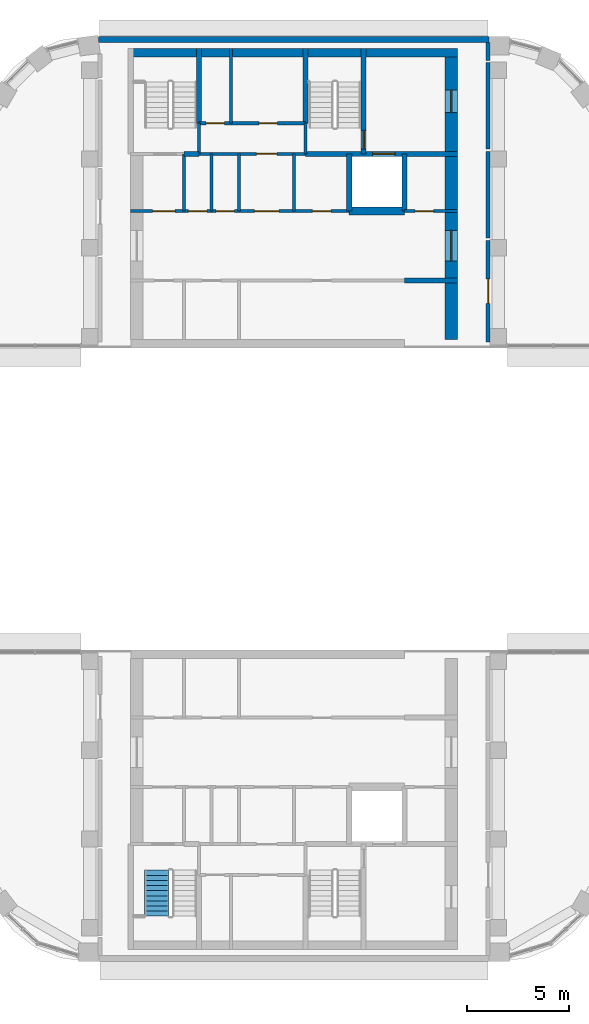
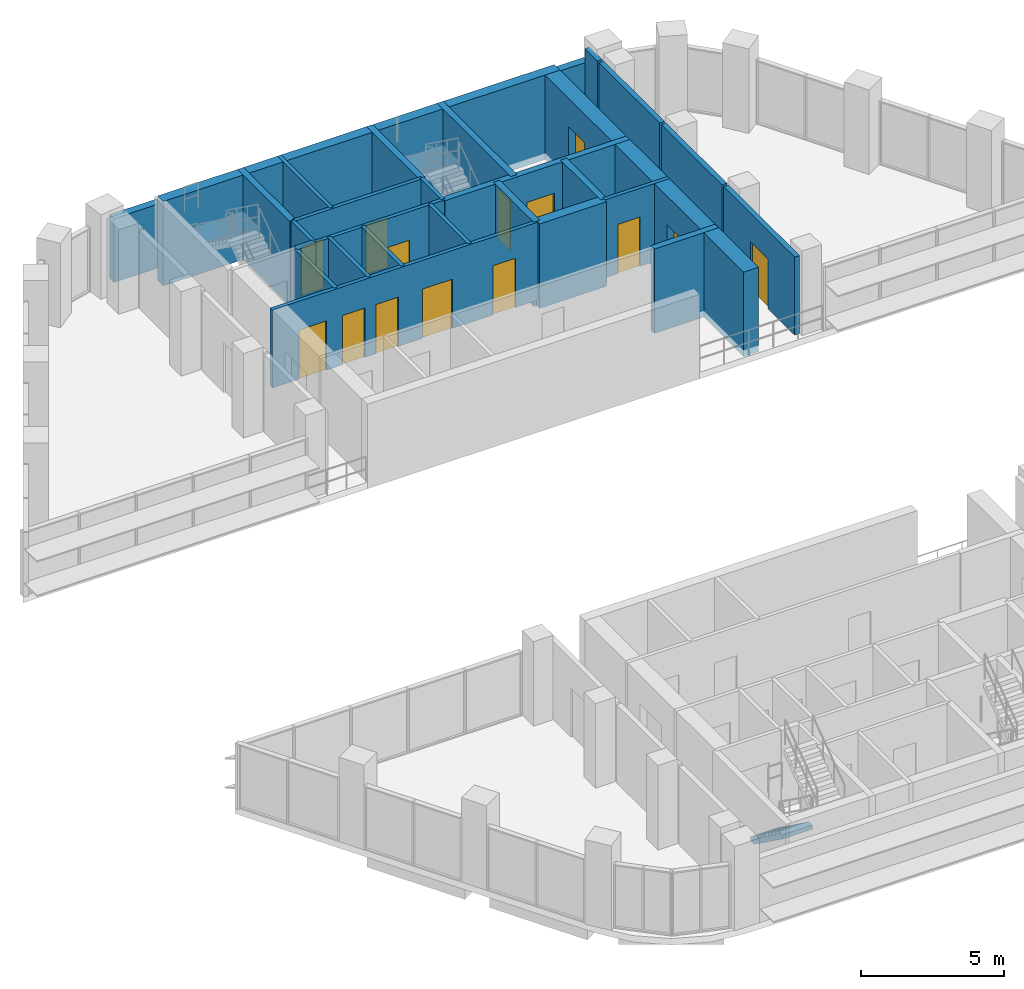
# One storey, part 11 of 15: 28 walls, 14 doors, 1 stair flight, 14 openings, 1 element without a shape of its own.
"""IFC4 building model written with IfcOpenShell, lengths in metres."""

from ifc_helpers import new_model, si_unit, direction, frame, frame_2d, origin, place, context, subcontext, project, spatial, polyline, rectangle, outline, extrude, material, layer, layer_set, type_object, element, fill, aggregate, save


model = new_model("IFC4")

# Units and contexts
model_context = context("Model", 3, precision=1e-05, world=origin(), true_north=direction((0.0, 1.0)))
body_context = subcontext(model_context, "Body", "Model", "MODEL_VIEW")
ifc_project = project(units=[si_unit("LENGTHUNIT", "METRE"), si_unit("AREAUNIT", "SQUARE_METRE"), si_unit("VOLUMEUNIT", "CUBIC_METRE"), si_unit("PLANEANGLEUNIT", "RADIAN"), si_unit("MASSUNIT", "GRAM", prefix="KILO")], contexts=[model_context])

# Site, building, storey
site_placement = place(None, origin())
site = spatial("IfcSite", under=ifc_project, at=site_placement, CompositionType="ELEMENT")
building_placement = place(site_placement, origin())
building = spatial("IfcBuilding", under=site, at=building_placement, Name="Nakaniwa Court", CompositionType="ELEMENT")
storey_placement = place(building_placement, frame((0.0, 0.0, 283.199951171875)))
storey = spatial("IfcBuildingStorey", under=building, at=storey_placement, Name="C04", CompositionType="ELEMENT", Elevation=283.199951171875)

# Wall, opening, door
ifc_material_1 = material(Name="Acoustic double stud partition")
ifc_layer_1 = layer(ifc_material_1, 0.199951171875)
ifc_layer_set_1 = layer_set([ifc_layer_1], Name="Acoustic double stud partition")
wall_type_1 = type_object("IfcWallType", Name="Acoustic double stud partition 200", PredefinedType="PARTITIONING", material=ifc_layer_set_1)
wall_1_placement = place(storey_placement, frame((89.5, 92.6630859375, 0.0), z_axis=(0.0, 0.0, 1.0), x_axis=(0.0, -1.0, 0.0)))
wall_1 = element("IfcWall", 1, at=wall_1_placement, inside=storey, type_object=wall_type_1, Name="Partition PW-057", PredefinedType="PARTITIONING", context=body_context, shape_type="SweptSolid", body=[
    extrude(rectangle(XDim=4.963134765625, YDim=0.199951171875, at=frame_2d((2.4814453125, 0.0))), origin(), (0.0, 0.0, 1.0), 3.324951171875),
])
opening_1_placement = place(wall_1_placement, frame((1.883056640625, 0.0, 0.0)))
opening_1 = element("IfcOpeningElement", 2, at=opening_1_placement, cuts=wall_1, Name="Opening D-30-02", PredefinedType="OPENING", context=body_context, shape_type="SweptSolid", body=[
    extrude(rectangle(XDim=1.199951171875, YDim=2.10009765625, at=frame_2d((0.60009765625, 1.050048828125))), frame((0.0, 0.10986328125, 0.0), z_axis=(0.0, -1.0, 0.0), x_axis=(1.0, 0.0, 0.0)), (0.0, 0.0, 1.0), 0.219970703125),
])
ifc_material_2 = material(Name="Solid core timber door set, black veneer", Category="wood")
door_type_1 = type_object("IfcDoorType", Name="Internal door 1200", OperationType="NOTDEFINED", PredefinedType="DOOR", material=ifc_material_2)
door_1_placement = place(opening_1_placement, origin())
door_1 = element("IfcDoor", 3, at=door_1_placement, inside=storey, type_object=door_type_1, Name="Door D-30-02 C04-030", OperationType="SINGLE_SWING_LEFT", OverallHeight=2.10009765625, OverallWidth=1.199951171875, PredefinedType="DOOR", context=body_context, shape_type="SweptSolid", body=[
    extrude(rectangle(XDim=1.199951171875, YDim=2.10009765625, at=frame_2d((0.60009765625, 1.050048828125))), frame((0.0, 0.02490234375, 0.0), z_axis=(0.0, -1.0, 0.0), x_axis=(1.0, 0.0, 0.0)), (0.0, 0.0, 1.0), 0.050048828125),
])
fill(opening_1, door_1)

# Walls
wall_2_placement = place(storey_placement, frame((89.5, 92.777099609375, 0.0), z_axis=(0.0, 0.0, 1.0), x_axis=(0.0, 1.0, 0.0)))
element("IfcWall", 4, at=wall_2_placement, inside=storey, type_object=wall_type_1, Name="Partition PW-058", PredefinedType="PARTITIONING", context=body_context, shape_type="SweptSolid", body=[
    extrude(rectangle(XDim=4.23583984375, YDim=0.199951171875, at=frame_2d((2.117919921875, 0.0))), origin(), (0.0, 0.0, 1.0), 3.324951171875),
])
wall_3_placement = place(storey_placement, frame((89.5, 97.126953125, 0.0), z_axis=(0.0, 0.0, 1.0), x_axis=(0.0, 1.0, 0.0)))
element("IfcWall", 5, at=wall_3_placement, inside=storey, type_object=wall_type_1, Name="Partition PW-059", PredefinedType="PARTITIONING", context=body_context, shape_type="SweptSolid", body=[
    extrude(rectangle(XDim=4.236083984375, YDim=0.199951171875, at=frame_2d((2.1181640625, 0.0))), origin(), (0.0, 0.0, 1.0), 3.324951171875),
])
wall_4_placement = place(storey_placement, frame((89.5, 101.47705078125, 0.0), z_axis=(0.0, 0.0, 1.0), x_axis=(0.0, 1.0, 0.0)))
element("IfcWall", 6, at=wall_4_placement, inside=storey, type_object=wall_type_1, Name="Partition PW-060", PredefinedType="PARTITIONING", context=body_context, shape_type="SweptSolid", body=[
    extrude(rectangle(XDim=0.873046875, YDim=0.199951171875, at=frame_2d((0.4365234375, 0.0))), origin(), (0.0, 0.0, 1.0), 3.324951171875),
])
ifc_material_3 = material(Name="Charcoal ceramic cladding")
ifc_layer_2 = layer(ifc_material_3, 0.02, Name="Ceramic cladding")
ifc_material_4 = material(Name="Ventilated air cavity")
ifc_layer_3 = layer(ifc_material_4, 0.04, ventilated=True, Name="Ventilated cavity")
ifc_material_5 = material(Name="Mineral wool insulation")
ifc_layer_4 = layer(ifc_material_5, 0.1, Name="Insulation")
ifc_material_6 = material(Name="Cement bonded sheathing board")
ifc_layer_5 = layer(ifc_material_6, 0.012, Name="Sheathing")
ifc_material_7 = material(Name="Cold-formed galvanised stud frame with mineral wool infill")
ifc_layer_6 = layer(ifc_material_7, 0.1, Name="Stud frame")
ifc_material_8 = material(Name="Fire-rated gypsum plasterboard lining")
ifc_layer_7 = layer(ifc_material_8, 0.028, Name="Lining")
ifc_layer_set_2 = layer_set([ifc_layer_2, ifc_layer_3, ifc_layer_4, ifc_layer_5, ifc_layer_6, ifc_layer_7], Name="Charcoal ceramic faced external wall system")
wall_type_2 = type_object("IfcWallType", Name="Black ceramic faced external wall 300", PredefinedType="SOLIDWALL", material=ifc_layer_set_2)
wall_5_placement = place(storey_placement, frame((89.54931640625, 102.5, 0.0), z_axis=(0.0, 0.0, 1.0), x_axis=(-1.0, 0.0, 0.0)))
element("IfcWall", 7, at=wall_5_placement, inside=storey, type_object=wall_type_2, Name="C04 external wall 23", PredefinedType="SOLIDWALL", context=body_context, shape_type="SweptSolid", body=[
    extrude(rectangle(XDim=19.1337890625, YDim=0.300048828125, at=frame_2d((9.56689453125, 0.0))), origin(), (0.0, 0.0, 1.0), 2.72509765625),
])
ifc_material_9 = material(Name="Blockwork partition", Category="masonry")
ifc_layer_8 = layer(ifc_material_9, 0.14990234375)
ifc_layer_set_3 = layer_set([ifc_layer_8], Name="Blockwork partition")
wall_type_3 = type_object("IfcWallType", Name="Blockwork partition 150", PredefinedType="PARTITIONING", material=ifc_layer_set_3)
for number, where, z_axis, x_axis, name in (
    (8, (74.60009765625, 94.10009765625, 0.0), (0.0, 0.0, 1.0), (0.0, 1.0, 0.0), "Partition PW-002"),
    (9, (77.300048828125, 94.10009765625, 0.0), (0.0, 0.0, 1.0), (0.0, 1.0, 0.0), "Partition PW-006"),
):
    element("IfcWall", number, at=place(storey_placement, frame(where, z_axis=z_axis, x_axis=x_axis)), inside=storey, type_object=wall_type_3, Name=name, PredefinedType="PARTITIONING", context=body_context, shape_type="SweptSolid", body=[
        extrude(rectangle(XDim=2.7998046875, YDim=0.14990234375, at=frame_2d((1.39990234375, 0.0))), origin(), (0.0, 0.0, 1.0), 3.324951171875),
    ])

# Wall, openings, doors
wall_6_placement = place(storey_placement, frame((72.0, 94.10009765625, 0.0), z_axis=(0.0, 0.0, 1.0), x_axis=(1.0, 0.0, 0.0)))
wall_6 = element("IfcWall", 10, at=wall_6_placement, inside=storey, type_object=wall_type_3, Name="Partition PW-007", PredefinedType="PARTITIONING", context=body_context, shape_type="SweptSolid", body=[
    extrude(rectangle(XDim=10.702880859375, YDim=0.14990234375, at=frame_2d((5.3515625, 0.0))), origin(), (0.0, 0.0, 1.0), 3.324951171875),
])
opening_2_placement = place(wall_6_placement, frame((1.074951171875, 0.0, 0.0)))
opening_2 = element("IfcOpeningElement", 11, at=opening_2_placement, cuts=wall_6, Name="Opening D-08-01", PredefinedType="OPENING", context=body_context, shape_type="SweptSolid", body=[
    extrude(rectangle(XDim=1.10009765625, YDim=2.10009765625, at=frame_2d((0.550048828125, 1.050048828125))), frame((0.0, 0.0849609375, 0.0), z_axis=(0.0, -1.0, 0.0), x_axis=(1.0, 0.0, 0.0)), (0.0, 0.0, 1.0), 0.169921875),
])
opening_3_placement = place(wall_6_placement, frame((2.824951171875, 0.0, 0.0)))
opening_3 = element("IfcOpeningElement", 12, at=opening_3_placement, cuts=wall_6, Name="Opening D-05-04", PredefinedType="OPENING", context=body_context, shape_type="SweptSolid", body=[
    extrude(rectangle(XDim=0.89990234375, YDim=2.10009765625, at=frame_2d((0.449951171875, 1.050048828125))), frame((0.0, 0.0849609375, 0.0), z_axis=(0.0, -1.0, 0.0), x_axis=(1.0, 0.0, 0.0)), (0.0, 0.0, 1.0), 0.169921875),
])
opening_4_placement = place(wall_6_placement, frame((4.175048828125, 0.0, 0.0)))
opening_4 = element("IfcOpeningElement", 13, at=opening_4_placement, cuts=wall_6, Name="Opening D-05-05", PredefinedType="OPENING", context=body_context, shape_type="SweptSolid", body=[
    extrude(rectangle(XDim=0.89990234375, YDim=2.10009765625, at=frame_2d((0.449951171875, 1.050048828125))), frame((0.0, 0.0849609375, 0.0), z_axis=(0.0, -1.0, 0.0), x_axis=(1.0, 0.0, 0.0)), (0.0, 0.0, 1.0), 0.169921875),
])
opening_5_placement = place(wall_6_placement, frame((6.050048828125, 0.0, 0.0)))
opening_5 = element("IfcOpeningElement", 14, at=opening_5_placement, cuts=wall_6, Name="Opening D-06-01", PredefinedType="OPENING", context=body_context, shape_type="SweptSolid", body=[
    extrude(rectangle(XDim=1.199951171875, YDim=2.10009765625, at=frame_2d((0.60009765625, 1.050048828125))), frame((0.0, 0.0849609375, 0.0), z_axis=(0.0, -1.0, 0.0), x_axis=(1.0, 0.0, 0.0)), (0.0, 0.0, 1.0), 0.169921875),
])
opening_6_placement = place(wall_6_placement, frame((8.89990234375, 0.0, 0.0)))
opening_6 = element("IfcOpeningElement", 15, at=opening_6_placement, cuts=wall_6, Name="Opening D-05-06", PredefinedType="OPENING", context=body_context, shape_type="SweptSolid", body=[
    extrude(rectangle(XDim=0.89990234375, YDim=2.10009765625, at=frame_2d((0.449951171875, 1.050048828125))), frame((0.0, 0.0849609375, 0.0), z_axis=(0.0, -1.0, 0.0), x_axis=(1.0, 0.0, 0.0)), (0.0, 0.0, 1.0), 0.169921875),
])
ifc_material_10 = material(Name="Fire rated steel double door set", Category="steel")
door_type_2 = type_object("IfcDoorType", Name="Service passage double door 1200", OperationType="NOTDEFINED", PredefinedType="DOOR", material=ifc_material_10)
door_2_placement = place(opening_5_placement, origin())
door_2 = element("IfcDoor", 16, at=door_2_placement, inside=storey, type_object=door_type_2, Name="Door D-06-01 C04-007", OperationType="DOUBLE_DOOR_SINGLE_SWING", OverallHeight=2.10009765625, OverallWidth=1.199951171875, PredefinedType="DOOR", context=body_context, shape_type="SweptSolid", body=[
    extrude(rectangle(XDim=1.199951171875, YDim=2.10009765625, at=frame_2d((0.60009765625, 1.050048828125))), frame((0.0, 0.02490234375, 0.0), z_axis=(0.0, -1.0, 0.0), x_axis=(1.0, 0.0, 0.0)), (0.0, 0.0, 1.0), 0.050048828125),
])
fill(opening_5, door_2)
ifc_material_11 = material(Name="Fire rated steel door set", Category="steel")
door_type_3 = type_object("IfcDoorType", Name="Service room door 900", OperationType="NOTDEFINED", PredefinedType="DOOR", material=ifc_material_11)
door_3_placement = place(opening_3_placement, origin())
door_3 = element("IfcDoor", 17, at=door_3_placement, inside=storey, type_object=door_type_3, Name="Door D-05-04 C04-005", OperationType="SINGLE_SWING_RIGHT", OverallHeight=2.10009765625, OverallWidth=0.89990234375, PredefinedType="DOOR", context=body_context, shape_type="SweptSolid", body=[
    extrude(rectangle(XDim=0.89990234375, YDim=2.10009765625, at=frame_2d((0.449951171875, 1.050048828125))), frame((0.0, 0.02490234375, 0.0), z_axis=(0.0, -1.0, 0.0), x_axis=(1.0, 0.0, 0.0)), (0.0, 0.0, 1.0), 0.050048828125),
])
fill(opening_3, door_3)
door_4_placement = place(opening_4_placement, origin())
door_4 = element("IfcDoor", 18, at=door_4_placement, inside=storey, type_object=door_type_3, Name="Door D-05-05 C04-006", OperationType="SINGLE_SWING_LEFT", OverallHeight=2.10009765625, OverallWidth=0.89990234375, PredefinedType="DOOR", context=body_context, shape_type="SweptSolid", body=[
    extrude(rectangle(XDim=0.89990234375, YDim=2.10009765625, at=frame_2d((0.449951171875, 1.050048828125))), frame((0.0, 0.02490234375, 0.0), z_axis=(0.0, -1.0, 0.0), x_axis=(1.0, 0.0, 0.0)), (0.0, 0.0, 1.0), 0.050048828125),
])
fill(opening_4, door_4)
door_5_placement = place(opening_6_placement, origin())
door_5 = element("IfcDoor", 19, at=door_5_placement, inside=storey, type_object=door_type_3, Name="Door D-05-06 C04-008", OperationType="SINGLE_SWING_LEFT", OverallHeight=2.10009765625, OverallWidth=0.89990234375, PredefinedType="DOOR", context=body_context, shape_type="SweptSolid", body=[
    extrude(rectangle(XDim=0.89990234375, YDim=2.10009765625, at=frame_2d((0.449951171875, 1.050048828125))), frame((0.0, 0.02490234375, 0.0), z_axis=(0.0, -1.0, 0.0), x_axis=(1.0, 0.0, 0.0)), (0.0, 0.0, 1.0), 0.050048828125),
])
fill(opening_6, door_5)
door_type_4 = type_object("IfcDoorType", Name="Stair lobby door 1100", OperationType="NOTDEFINED", PredefinedType="DOOR", material=ifc_material_11)
door_6_placement = place(opening_2_placement, origin())
door_6 = element("IfcDoor", 20, at=door_6_placement, inside=storey, type_object=door_type_4, Name="Door D-08-01 C04-004", OperationType="SINGLE_SWING_LEFT", OverallHeight=2.10009765625, OverallWidth=1.10009765625, PredefinedType="DOOR", context=body_context, shape_type="SweptSolid", body=[
    extrude(rectangle(XDim=1.10009765625, YDim=2.10009765625, at=frame_2d((0.550048828125, 1.050048828125))), frame((0.0, 0.02490234375, 0.0), z_axis=(0.0, -1.0, 0.0), x_axis=(1.0, 0.0, 0.0)), (0.0, 0.0, 1.0), 0.050048828125),
])
fill(opening_2, door_6)

# Wall, opening, door
wall_7_placement = place(storey_placement, frame((85.39697265625, 94.10009765625, 0.0), z_axis=(0.0, 0.0, 1.0), x_axis=(1.0, 0.0, 0.0)))
wall_7 = element("IfcWall", 21, at=wall_7_placement, inside=storey, type_object=wall_type_3, Name="Partition PW-008", PredefinedType="PARTITIONING", context=body_context, shape_type="SweptSolid", body=[
    extrude(rectangle(XDim=2.60302734375, YDim=0.14990234375, at=frame_2d((1.301513671875, 0.0))), origin(), (0.0, 0.0, 1.0), 3.324951171875),
])
opening_7_placement = place(wall_7_placement, frame((0.528076171875, 0.0, 0.0)))
opening_7 = element("IfcOpeningElement", 22, at=opening_7_placement, cuts=wall_7, Name="Opening D-05-07", PredefinedType="OPENING", context=body_context, shape_type="SweptSolid", body=[
    extrude(rectangle(XDim=0.89990234375, YDim=2.10009765625, at=frame_2d((0.449951171875, 1.050048828125))), frame((0.0, 0.0849609375, 0.0), z_axis=(0.0, -1.0, 0.0), x_axis=(1.0, 0.0, 0.0)), (0.0, 0.0, 1.0), 0.169921875),
])
door_7_placement = place(opening_7_placement, origin())
door_7 = element("IfcDoor", 23, at=door_7_placement, inside=storey, type_object=door_type_3, Name="Door D-05-07 C04-009", OperationType="SINGLE_SWING_RIGHT", OverallHeight=2.10009765625, OverallWidth=0.89990234375, PredefinedType="DOOR", context=body_context, shape_type="SweptSolid", body=[
    extrude(rectangle(XDim=0.89990234375, YDim=2.10009765625, at=frame_2d((0.449951171875, 1.050048828125))), frame((0.0, 0.02490234375, 0.0), z_axis=(0.0, -1.0, 0.0), x_axis=(1.0, 0.0, 0.0)), (0.0, 0.0, 1.0), 0.050048828125),
])
fill(opening_7, door_7)

# Wall
wall_8_placement = place(storey_placement, frame((75.949951171875, 94.10009765625, 0.0), z_axis=(0.0, 0.0, 1.0), x_axis=(0.0, 1.0, 0.0)))
element("IfcWall", 24, at=wall_8_placement, inside=storey, type_object=wall_type_3, Name="Partition PW-012", PredefinedType="PARTITIONING", context=body_context, shape_type="SweptSolid", body=[
    extrude(rectangle(XDim=2.7998046875, YDim=0.14990234375, at=frame_2d((1.39990234375, 0.0))), origin(), (0.0, 0.0, 1.0), 3.324951171875),
])

# Wall, opening, door
wall_9_placement = place(storey_placement, frame((75.346923828125, 96.89990234375, 0.0), z_axis=(0.0, 0.0, 1.0), x_axis=(1.0, 0.0, 0.0)))
wall_9 = element("IfcWall", 25, at=wall_9_placement, inside=storey, type_object=wall_type_3, Name="Partition PW-015", PredefinedType="PARTITIONING", context=body_context, shape_type="SweptSolid", body=[
    extrude(rectangle(XDim=5.2060546875, YDim=0.14990234375, at=frame_2d((2.60302734375, 0.0))), origin(), (0.0, 0.0, 1.0), 3.324951171875),
])
opening_8_placement = place(wall_9_placement, frame((2.802978515625, 0.0, 0.0)))
opening_8 = element("IfcOpeningElement", 26, at=opening_8_placement, cuts=wall_9, Name="Opening D-23-01", PredefinedType="OPENING", context=body_context, shape_type="SweptSolid", body=[
    extrude(rectangle(XDim=1.0, YDim=2.10009765625, at=frame_2d((0.5, 1.050048828125))), frame((0.0, 0.0849609375, 0.0), z_axis=(0.0, -1.0, 0.0), x_axis=(1.0, 0.0, 0.0)), (0.0, 0.0, 1.0), 0.169921875),
])
door_type_5 = type_object("IfcDoorType", Name="Service room door 1000", OperationType="NOTDEFINED", PredefinedType="DOOR", material=ifc_material_11)
door_8_placement = place(opening_8_placement, origin())
door_8 = element("IfcDoor", 27, at=door_8_placement, inside=storey, type_object=door_type_5, Name="Door D-23-01 C04-010", OperationType="SINGLE_SWING_LEFT", OverallHeight=2.10009765625, OverallWidth=1.0, PredefinedType="DOOR", context=body_context, shape_type="SweptSolid", body=[
    extrude(rectangle(XDim=1.0, YDim=2.10009765625, at=frame_2d((0.5, 1.050048828125))), frame((0.0, 0.02490234375, 0.0), z_axis=(0.0, -1.0, 0.0), x_axis=(1.0, 0.0, 0.0)), (0.0, 0.0, 1.0), 0.050048828125),
])
fill(opening_8, door_8)

# Wall
wall_10_placement = place(storey_placement, frame((80.0, 94.10009765625, 0.0), z_axis=(0.0, 0.0, 1.0), x_axis=(0.0, 1.0, 0.0)))
element("IfcWall", 28, at=wall_10_placement, inside=storey, type_object=wall_type_3, Name="Partition PW-016", PredefinedType="PARTITIONING", context=body_context, shape_type="SweptSolid", body=[
    extrude(rectangle(XDim=2.7998046875, YDim=0.14990234375, at=frame_2d((1.39990234375, 0.0))), origin(), (0.0, 0.0, 1.0), 3.324951171875),
])

# Wall, openings, doors
wall_11_placement = place(storey_placement, frame((75.35009765625, 98.39990234375, 0.0), z_axis=(0.0, 0.0, 1.0), x_axis=(1.0, 0.0, 0.0)))
wall_11 = element("IfcWall", 29, at=wall_11_placement, inside=storey, type_object=wall_type_3, Name="Partition PW-025", PredefinedType="PARTITIONING", context=body_context, shape_type="SweptSolid", body=[
    extrude(rectangle(XDim=5.199951171875, YDim=0.14990234375, at=frame_2d((2.60009765625, 0.0))), origin(), (0.0, 0.0, 1.0), 3.324951171875),
])
opening_9_placement = place(wall_11_placement, frame((0.330078125, 0.0, 0.0)))
opening_9 = element("IfcOpeningElement", 30, at=opening_9_placement, cuts=wall_11, Name="Opening D-05-08", PredefinedType="OPENING", context=body_context, shape_type="SweptSolid", body=[
    extrude(rectangle(XDim=0.89990234375, YDim=2.10009765625, at=frame_2d((0.449951171875, 1.050048828125))), frame((0.0, 0.0849609375, 0.0), z_axis=(0.0, -1.0, 0.0), x_axis=(1.0, 0.0, 0.0)), (0.0, 0.0, 1.0), 0.169921875),
])
opening_10_placement = place(wall_11_placement, frame((2.929931640625, 0.0, 0.0)))
opening_10 = element("IfcOpeningElement", 31, at=opening_10_placement, cuts=wall_11, Name="Opening D-05-09", PredefinedType="OPENING", context=body_context, shape_type="SweptSolid", body=[
    extrude(rectangle(XDim=0.89990234375, YDim=2.10009765625, at=frame_2d((0.449951171875, 1.050048828125))), frame((0.0, 0.0849609375, 0.0), z_axis=(0.0, -1.0, 0.0), x_axis=(1.0, 0.0, 0.0)), (0.0, 0.0, 1.0), 0.169921875),
])
door_9_placement = place(opening_9_placement, origin())
door_9 = element("IfcDoor", 32, at=door_9_placement, inside=storey, type_object=door_type_3, Name="Door D-05-08 C04-011", OperationType="SINGLE_SWING_RIGHT", OverallHeight=2.10009765625, OverallWidth=0.89990234375, PredefinedType="DOOR", context=body_context, shape_type="SweptSolid", body=[
    extrude(rectangle(XDim=0.89990234375, YDim=2.10009765625, at=frame_2d((0.449951171875, 1.050048828125))), frame((0.0, 0.02490234375, 0.0), z_axis=(0.0, -1.0, 0.0), x_axis=(1.0, 0.0, 0.0)), (0.0, 0.0, 1.0), 0.050048828125),
])
fill(opening_9, door_9)
door_10_placement = place(opening_10_placement, origin())
door_10 = element("IfcDoor", 33, at=door_10_placement, inside=storey, type_object=door_type_3, Name="Door D-05-09 C04-012", OperationType="SINGLE_SWING_LEFT", OverallHeight=2.10009765625, OverallWidth=0.89990234375, PredefinedType="DOOR", context=body_context, shape_type="SweptSolid", body=[
    extrude(rectangle(XDim=0.89990234375, YDim=2.10009765625, at=frame_2d((0.449951171875, 1.050048828125))), frame((0.0, 0.02490234375, 0.0), z_axis=(0.0, -1.0, 0.0), x_axis=(1.0, 0.0, 0.0)), (0.0, 0.0, 1.0), 0.050048828125),
])
fill(opening_10, door_10)

# Wall
wall_12_placement = place(storey_placement, frame((76.909912109375, 98.39990234375, 0.0), z_axis=(0.0, 0.0, 1.0), x_axis=(0.0, 1.0, 0.0)))
element("IfcWall", 34, at=wall_12_placement, inside=storey, type_object=wall_type_3, Name="Partition PW-026", PredefinedType="PARTITIONING", context=body_context, shape_type="SweptSolid", body=[
    extrude(rectangle(XDim=3.650146484375, YDim=0.14990234375, at=frame_2d((1.8251953125, 0.0))), origin(), (0.0, 0.0, 1.0), 3.324951171875),
])

# Wall, openings, doors
ifc_material_12 = material(Name="Concrete C80/100", Category="concrete")
ifc_layer_9 = layer(ifc_material_12, 0.60009765625)
ifc_layer_set_4 = layer_set([ifc_layer_9], Name="Concrete C80/100")
wall_type_4 = type_object("IfcWallType", Name="Concrete core side wall 600 C80", PredefinedType="SHEAR", material=ifc_layer_set_4)
wall_13_placement = place(storey_placement, frame((87.699951171875, 102.050048828125, -0.27490234375), z_axis=(0.0, 0.0, 1.0), x_axis=(0.0, -1.0, 0.0)))
wall_13 = element("IfcWall", 35, at=wall_13_placement, inside=storey, type_object=wall_type_4, Name="Core wall SW-10", PredefinedType="SHEAR", context=body_context, shape_type="SweptSolid", body=[
    extrude(rectangle(XDim=11.35009765625, YDim=0.60009765625, at=frame_2d((5.675048828125, 0.0))), origin(), (0.0, 0.0, 1.0), 3.599853515625),
])
opening_11_placement = place(wall_13_placement, frame((8.89990234375, 0.0, 0.27490234375)))
opening_11 = element("IfcOpeningElement", 36, at=opening_11_placement, cuts=wall_13, Name="Opening D-07-01", PredefinedType="OPENING", context=body_context, shape_type="SweptSolid", body=[
    extrude(rectangle(XDim=1.5, YDim=2.10009765625, at=frame_2d((0.75, 1.050048828125))), frame((0.0, 0.31005859375, 0.0), z_axis=(0.0, -1.0, 0.0), x_axis=(1.0, 0.0, 0.0)), (0.0, 0.0, 1.0), 0.6201171875),
])
opening_12_placement = place(wall_13_placement, frame((2.02490234375, 0.0, 0.27490234375)))
opening_12 = element("IfcOpeningElement", 37, at=opening_12_placement, cuts=wall_13, Name="Opening D-10-01", PredefinedType="OPENING", context=body_context, shape_type="SweptSolid", body=[
    extrude(rectangle(XDim=1.10009765625, YDim=2.10009765625, at=frame_2d((0.550048828125, 1.050048828125))), frame((0.0, 0.31005859375, 0.0), z_axis=(0.0, -1.0, 0.0), x_axis=(1.0, 0.0, 0.0)), (0.0, 0.0, 1.0), 0.6201171875),
])
door_type_6 = type_object("IfcDoorType", Name="Firefighting lobby door 1100", OperationType="NOTDEFINED", PredefinedType="DOOR", material=ifc_material_11)
door_11_placement = place(opening_12_placement, origin())
door_11 = element("IfcDoor", 38, at=door_11_placement, inside=storey, type_object=door_type_6, Name="Door D-10-01 C04-035", OperationType="SINGLE_SWING_RIGHT", OverallHeight=2.10009765625, OverallWidth=1.10009765625, PredefinedType="DOOR", context=body_context, shape_type="SweptSolid", body=[
    extrude(rectangle(XDim=1.10009765625, YDim=2.10009765625, at=frame_2d((0.550048828125, 1.050048828125))), frame((0.0, 0.02490234375, 0.0), z_axis=(0.0, -1.0, 0.0), x_axis=(1.0, 0.0, 0.0)), (0.0, 0.0, 1.0), 0.050048828125),
])
fill(opening_12, door_11)
ifc_material_13 = material(Name="Glazed fire rated steel double door set", Category="steel")
door_type_7 = type_object("IfcDoorType", Name="Lobby double door 1500", OperationType="NOTDEFINED", PredefinedType="DOOR", material=ifc_material_13)
door_12_placement = place(opening_11_placement, origin())
door_12 = element("IfcDoor", 39, at=door_12_placement, inside=storey, type_object=door_type_7, Name="Door D-07-01 C04-033", OperationType="DOUBLE_DOOR_SINGLE_SWING", OverallHeight=2.10009765625, OverallWidth=1.5, PredefinedType="DOOR", context=body_context, shape_type="SweptSolid", body=[
    extrude(rectangle(XDim=1.5, YDim=2.10009765625, at=frame_2d((0.75, 1.050048828125))), frame((0.0, 0.02490234375, 0.0), z_axis=(0.0, -1.0, 0.0), x_axis=(1.0, 0.0, 0.0)), (0.0, 0.0, 1.0), 0.050048828125),
])
fill(opening_11, door_12)

# Walls
wall_14_placement = place(storey_placement, frame((87.699951171875, 87.800048828125, -0.27490234375), z_axis=(0.0, 0.0, 1.0), x_axis=(0.0, 1.0, 0.0)))
element("IfcWall", 40, at=wall_14_placement, inside=storey, type_object=wall_type_4, Name="Core wall SW-70", PredefinedType="SHEAR", context=body_context, shape_type="SweptSolid", body=[
    extrude(rectangle(XDim=2.89599609375, YDim=0.60009765625, at=frame_2d((1.447998046875, 0.0))), origin(), (0.0, 0.0, 1.0), 3.599853515625),
])
ifc_layer_10 = layer(ifc_material_12, 0.39990234375)
ifc_layer_set_5 = layer_set([ifc_layer_10], Name="Concrete C80/100")
wall_type_5 = type_object("IfcWallType", Name="Concrete core spine wall 400 C80", PredefinedType="SHEAR", material=ifc_layer_set_5)
wall_15_placement = place(storey_placement, frame((82.697021484375, 94.10009765625, -0.27490234375), z_axis=(0.0, 0.0, 1.0), x_axis=(1.0, 0.0, 0.0)))
element("IfcWall", 41, at=wall_15_placement, inside=storey, type_object=wall_type_5, Name="Core wall SW-09", PredefinedType="SHEAR", context=body_context, shape_type="SweptSolid", body=[
    extrude(rectangle(XDim=2.7060546875, YDim=0.39990234375, at=frame_2d((1.35302734375, 0.0))), origin(), (0.0, 0.0, 1.0), 3.599853515625),
])
ifc_layer_11 = layer(ifc_material_12, 0.14990234375)
ifc_layer_set_6 = layer_set([ifc_layer_11], Name="Concrete C80/100")
wall_type_6 = type_object("IfcWallType", Name="Concrete core wall 150 C80", PredefinedType="SHEAR", material=ifc_layer_set_6)
for number, where, z_axis, x_axis, name in (
    (42, (75.35009765625, 96.89990234375, -0.27490234375), (0.0, 0.0, 1.0), (0.0, 1.0, 0.0), "Core wall SW-19"),
    (43, (80.550048828125, 96.89990234375, -0.27490234375), (0.0, 0.0, 1.0), (0.0, 1.0, 0.0), "Core wall SW-23"),
):
    element("IfcWall", number, at=place(storey_placement, frame(where, z_axis=z_axis, x_axis=x_axis)), inside=storey, type_object=wall_type_6, Name=name, PredefinedType="SHEAR", context=body_context, shape_type="SweptSolid", body=[
        extrude(rectangle(XDim=1.503173828125, YDim=0.14990234375, at=frame_2d((0.75146484375, 0.0))), origin(), (0.0, 0.0, 1.0), 3.599853515625),
    ])
ifc_layer_12 = layer(ifc_material_12, 0.39990234375)
ifc_layer_set_7 = layer_set([ifc_layer_12], Name="Concrete C80/100")
wall_type_7 = type_object("IfcWallType", Name="Concrete core wall 400 C80", PredefinedType="SHEAR", material=ifc_layer_set_7)
wall_16_placement = place(storey_placement, frame((72.00390625, 101.85009765625, -0.27490234375), z_axis=(0.0, 0.0, 1.0), x_axis=(1.0, 0.0, 0.0)))
element("IfcWall", 44, at=wall_16_placement, inside=storey, type_object=wall_type_7, Name="Core wall SW-72", PredefinedType="SHEAR", context=body_context, shape_type="SweptSolid", body=[
    extrude(rectangle(XDim=15.9921875, YDim=0.39990234375, at=frame_2d((7.99609375, 0.0))), origin(), (0.0, 0.0, 1.0), 3.599853515625),
])
ifc_layer_13 = layer(ifc_material_12, 0.25)
ifc_layer_set_8 = layer_set([ifc_layer_13], Name="Concrete C80/100")
wall_type_8 = type_object("IfcWallType", Name="Concrete shaft wall 250 C80", PredefinedType="SHEAR", material=ifc_layer_set_8)
wall_17_placement = place(storey_placement, frame((74.60009765625, 96.89990234375, -0.27490234375), z_axis=(0.0, 0.0, 1.0), x_axis=(1.0, 0.0, 0.0)))
element("IfcWall", 45, at=wall_17_placement, inside=storey, type_object=wall_type_8, Name="Core wall SW-13", PredefinedType="SHEAR", context=body_context, shape_type="SweptSolid", body=[
    extrude(rectangle(XDim=0.7529296875, YDim=0.25, at=frame_2d((0.37646484375, 0.0))), origin(), (0.0, 0.0, 1.0), 3.599853515625),
])

# Wall, opening, door
wall_18_placement = place(storey_placement, frame((80.547119140625, 96.89990234375, -0.27490234375), z_axis=(0.0, 0.0, 1.0), x_axis=(1.0, 0.0, 0.0)))
wall_18 = element("IfcWall", 46, at=wall_18_placement, inside=storey, type_object=wall_type_8, Name="Core wall SW-14", PredefinedType="SHEAR", context=body_context, shape_type="SweptSolid", body=[
    extrude(rectangle(XDim=7.452880859375, YDim=0.25, at=frame_2d((3.7265625, 0.0))), origin(), (0.0, 0.0, 1.0), 3.599853515625),
])
opening_13_placement = place(wall_18_placement, frame((3.302001953125, 0.0, 0.27490234375)))
opening_13 = element("IfcOpeningElement", 47, at=opening_13_placement, cuts=wall_18, Name="Opening LD01", PredefinedType="OPENING", context=body_context, shape_type="SweptSolid", body=[
    extrude(rectangle(XDim=1.10009765625, YDim=2.10009765625, at=frame_2d((0.550048828125, 1.050048828125))), frame((0.0, 0.135009765625, 0.0), z_axis=(0.0, -1.0, 0.0), x_axis=(1.0, 0.0, 0.0)), (0.0, 0.0, 1.0), 0.27001953125),
])
ifc_material_14 = material(Name="Stainless steel sliding lift landing door", Category="steel")
door_type_8 = type_object("IfcDoorType", Name="Lift landing door 1100", OperationType="NOTDEFINED", PredefinedType="DOOR", material=ifc_material_14)
door_13_placement = place(opening_13_placement, origin())
door_13 = element("IfcDoor", 48, at=door_13_placement, inside=storey, type_object=door_type_8, Name="Lift landing door LD01 C04-001", OperationType="SLIDING_TO_LEFT", OverallHeight=2.10009765625, OverallWidth=1.10009765625, PredefinedType="DOOR", context=body_context, shape_type="SweptSolid", body=[
    extrude(rectangle(XDim=1.10009765625, YDim=2.10009765625, at=frame_2d((0.550048828125, 1.050048828125))), frame((0.0, 0.02490234375, 0.0), z_axis=(0.0, -1.0, 0.0), x_axis=(1.0, 0.0, 0.0)), (0.0, 0.0, 1.0), 0.050048828125),
])
fill(opening_13, door_13)

# Walls
for number, where, z_axis, x_axis, name in (
    (49, (82.699951171875, 94.10009765625, -0.27490234375), (0.0, 0.0, 1.0), (0.0, 1.0, 0.0), "Core wall SW-17"),
    (50, (85.39990234375, 94.10009765625, -0.27490234375), (0.0, 0.0, 1.0), (0.0, 1.0, 0.0), "Core wall SW-18"),
):
    element("IfcWall", number, at=place(storey_placement, frame(where, z_axis=z_axis, x_axis=x_axis)), inside=storey, type_object=wall_type_8, Name=name, PredefinedType="SHEAR", context=body_context, shape_type="SweptSolid", body=[
        extrude(rectangle(XDim=2.7998046875, YDim=0.25, at=frame_2d((1.39990234375, 0.0))), origin(), (0.0, 0.0, 1.0), 3.599853515625),
    ])
wall_19_placement = place(storey_placement, frame((75.35009765625, 98.39697265625, -0.27490234375), z_axis=(0.0, 0.0, 1.0), x_axis=(0.0, 1.0, 0.0)))
element("IfcWall", 51, at=wall_19_placement, inside=storey, type_object=wall_type_8, Name="Core wall SW-20", PredefinedType="SHEAR", context=body_context, shape_type="SweptSolid", body=[
    extrude(rectangle(XDim=3.653076171875, YDim=0.25, at=frame_2d((1.82666015625, 0.0))), origin(), (0.0, 0.0, 1.0), 3.599853515625),
])

# Wall, opening, door
wall_20_placement = place(storey_placement, frame((83.39990234375, 102.050048828125, -0.27490234375), z_axis=(0.0, 0.0, 1.0), x_axis=(0.0, -1.0, 0.0)))
wall_20 = element("IfcWall", 52, at=wall_20_placement, inside=storey, type_object=wall_type_8, Name="Core wall SW-22", PredefinedType="SHEAR", context=body_context, shape_type="SweptSolid", body=[
    extrude(rectangle(XDim=5.150146484375, YDim=0.25, at=frame_2d((2.5751953125, 0.0))), origin(), (0.0, 0.0, 1.0), 3.599853515625),
])
opening_14_placement = place(wall_20_placement, frame((4.0, 0.0, 0.27490234375)))
opening_14 = element("IfcOpeningElement", 53, at=opening_14_placement, cuts=wall_20, Name="Opening D-11-01", PredefinedType="OPENING", context=body_context, shape_type="SweptSolid", body=[
    extrude(rectangle(XDim=0.89990234375, YDim=2.10009765625, at=frame_2d((0.449951171875, 1.050048828125))), frame((0.0, 0.135009765625, 0.0), z_axis=(0.0, -1.0, 0.0), x_axis=(1.0, 0.0, 0.0)), (0.0, 0.0, 1.0), 0.27001953125),
])
door_type_9 = type_object("IfcDoorType", Name="Stair door 900", OperationType="NOTDEFINED", PredefinedType="DOOR", material=ifc_material_11)
door_14_placement = place(opening_14_placement, origin())
door_14 = element("IfcDoor", 54, at=door_14_placement, inside=storey, type_object=door_type_9, Name="Door D-11-01 C04-014", OperationType="SINGLE_SWING_RIGHT", OverallHeight=2.10009765625, OverallWidth=0.89990234375, PredefinedType="DOOR", context=body_context, shape_type="SweptSolid", body=[
    extrude(rectangle(XDim=0.89990234375, YDim=2.10009765625, at=frame_2d((0.449951171875, 1.050048828125))), frame((0.0, 0.02490234375, 0.0), z_axis=(0.0, -1.0, 0.0), x_axis=(1.0, 0.0, 0.0)), (0.0, 0.0, 1.0), 0.050048828125),
])
fill(opening_14, door_14)

# Walls
wall_21_placement = place(storey_placement, frame((80.550048828125, 98.39697265625, -0.27490234375), z_axis=(0.0, 0.0, 1.0), x_axis=(0.0, 1.0, 0.0)))
element("IfcWall", 55, at=wall_21_placement, inside=storey, type_object=wall_type_8, Name="Core wall SW-24", PredefinedType="SHEAR", context=body_context, shape_type="SweptSolid", body=[
    extrude(rectangle(XDim=3.653076171875, YDim=0.25, at=frame_2d((1.82666015625, 0.0))), origin(), (0.0, 0.0, 1.0), 3.599853515625),
])
wall_22_placement = place(storey_placement, frame((85.404052734375, 90.699951171875, -0.27490234375), z_axis=(0.0, 0.0, 1.0), x_axis=(1.0, 0.0, 0.0)))
element("IfcWall", 56, at=wall_22_placement, inside=storey, type_object=wall_type_8, Name="Core wall SW-71", PredefinedType="SHEAR", context=body_context, shape_type="SweptSolid", body=[
    extrude(rectangle(XDim=2.592041015625, YDim=0.25, at=frame_2d((1.2958984375, 0.0))), origin(), (0.0, 0.0, 1.0), 3.599853515625),
])

# Stair, stair flight
stair_type = type_object("IfcStairType", Name="Dog leg stair 1200 wide 20 risers", PredefinedType="HALF_TURN_STAIR", material=ifc_material_12)
stair_placement = place(storey_placement, origin())
stair = element("IfcStair", 57, at=stair_placement, inside=storey, type_object=stair_type, Name="C04 Stair ST3", PredefinedType="HALF_TURN_STAIR")
stair_flight_type = type_object("IfcStairFlightType", Name="Stair flight 1200 wide 10 risers", PredefinedType="STRAIGHT", material=ifc_material_12)
stair_flight_placement = place(storey_placement, frame((73.27490234375, 61.824951171875, 0.0), z_axis=(0.0, 0.0, 1.0), x_axis=(0.0, -1.0, 0.0)))
stair_flight = element("IfcStairFlight", 58, at=stair_flight_placement, type_object=stair_flight_type, Name="ST3 flight 1", NumberOfRisers=10, NumberOfTreads=9, PredefinedType="STRAIGHT", RiserHeight=0.18, TreadLength=0.25, context=body_context, shape_type="SweptSolid", body=[
    extrude(outline(polyline([(0.0, 0.0), (0.0, 0.025634765625), (0.0, 0.051513671875), (0.0, 0.0771484375), (0.0, 0.102783203125), (0.0, 0.128662109375), (0.0, 0.154296875), (0.0, 0.179931640625), (0.25, 0.179931640625), (0.25, 0.360107421875), (0.5, 0.360107421875), (0.5, 0.5400390625), (0.75, 0.5400390625), (0.75, 0.719970703125), (1.0, 0.719970703125), (1.0, 0.89990234375), (1.25, 0.89990234375), (1.25, 1.080078125), (1.5, 1.080078125), (1.5, 1.260009765625), (1.75, 1.260009765625), (1.75, 1.43994140625), (2.0, 1.43994140625), (2.0, 1.6201171875), (2.25, 1.6201171875), (2.25, 1.800048828125), (2.25, 1.747802734375), (2.25, 1.69580078125), (2.25, 1.643798828125), (2.25, 1.591552734375), (2.25, 1.53955078125), (2.25, 1.4873046875), (2.25, 1.435302734375), (0.256591796875, 0.0), (0.0, 0.0)])), frame((0.0, 0.60009765625, 0.0), z_axis=(0.0, -1.0, 0.0), x_axis=(1.0, 0.0, 0.0)), (0.0, 0.0, 1.0), 1.199951171875),
])
aggregate(stair, [stair_flight])

save(model, "model.ifc")
